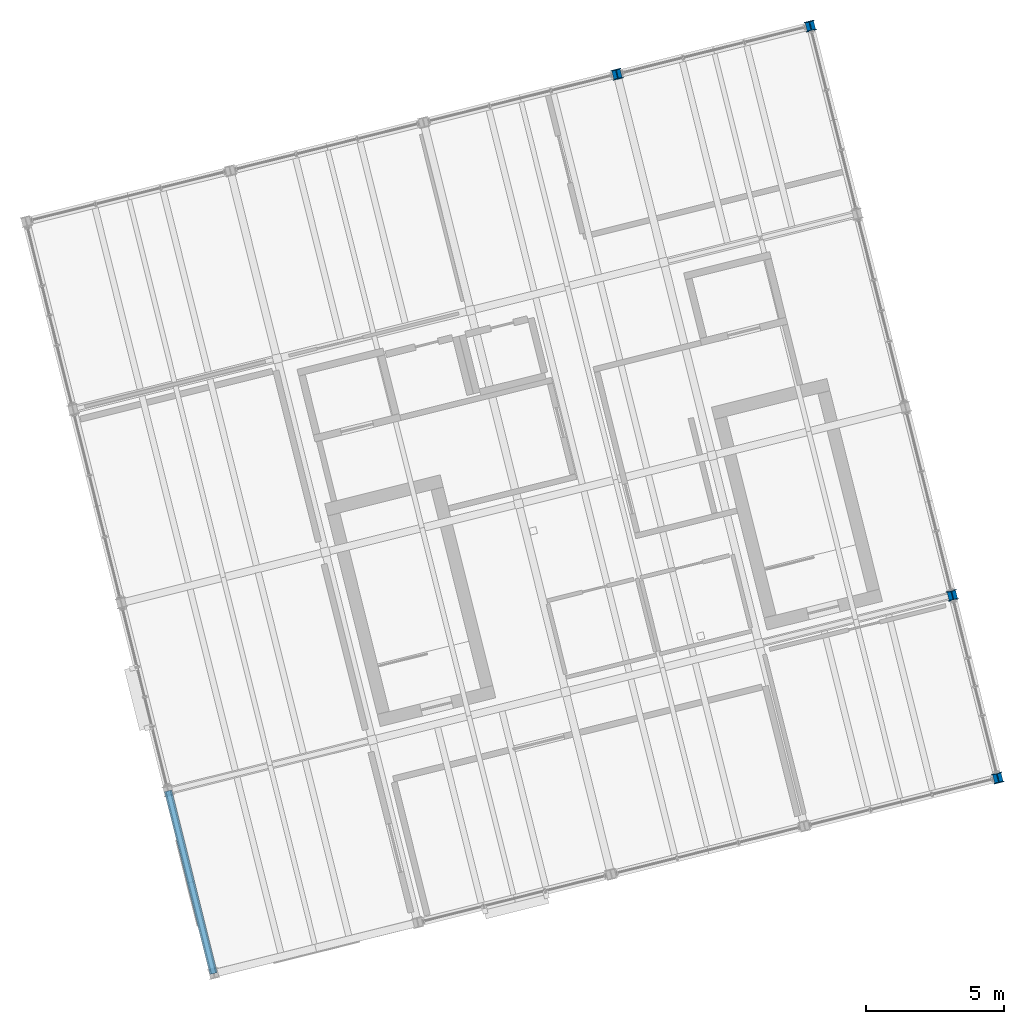
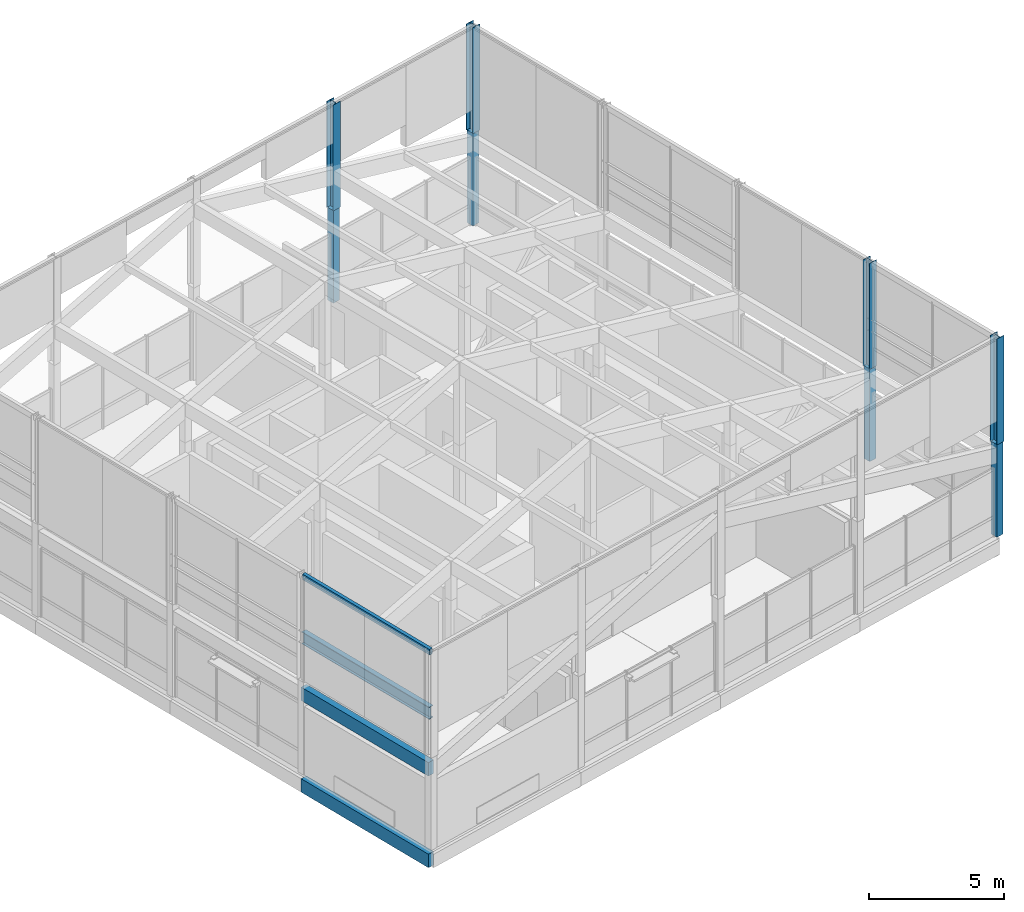
# One storey, part 2 of 31: 8 columns, 4 beams.
"""IFC4 building model written with IfcOpenShell, lengths in metres."""

from ifc_helpers import new_model, si_unit, direction, frame, origin, origin_2d, place, context, subcontext, project, spatial, rectangle, hollow_rectangle, i_section, extrude, material, material_profile, profile_set, type_object, element, save


model = new_model("IFC4")

# Units and contexts
model_context = context("Model", 3, precision=1e-05, world=origin(), true_north=direction((0.0, 1.0)))
body_context = subcontext(model_context, "Body", "Model", "MODEL_VIEW")
ifc_project = project(units=[si_unit("LENGTHUNIT", "METRE"), si_unit("AREAUNIT", "SQUARE_METRE"), si_unit("VOLUMEUNIT", "CUBIC_METRE"), si_unit("PLANEANGLEUNIT", "RADIAN"), si_unit("MASSUNIT", "GRAM", prefix="KILO")], contexts=[model_context])

# Site, building, storey
site_placement = place(None, origin())
site = spatial("IfcSite", under=ifc_project, at=site_placement, CompositionType="ELEMENT")
building_placement = place(site_placement, origin())
building = spatial("IfcBuilding", under=site, at=building_placement, Name="Meriwether Solvik Hall", CompositionType="ELEMENT")
storey_placement = place(building_placement, frame((0.0, 0.0, 61.199951171875)))
storey = spatial("IfcBuildingStorey", under=building, at=storey_placement, Name="L15", CompositionType="ELEMENT", Elevation=61.199951171875)

# Columns
ifc_material_1 = material(Name="Glulam Douglas-Fir L2 GL28c", Category="wood")
ifc_material_profile_1 = material_profile(ifc_material_1, rectangle(XDim=0.31494140625, YDim=0.31494140625, at=origin_2d()), Name="GLC-315X315")
ifc_profile_set_1 = profile_set([ifc_material_profile_1], Name="Glulam Douglas-Fir L2 GL28c")
column_type_1 = type_object("IfcColumnType", Name="COL-GL-315X315", PredefinedType="COLUMN", material=ifc_profile_set_1)
for number, where, z_axis, x_axis, name in (
    (1, (83.172607421875, 73.690673828125, 0.0), (0.0, 0.0, 1.0), (0.970295726276, 0.2419218956, 0.0), "Tower Column T4/TE (L15)"),
    (2, (96.9326171875, 48.26416015625, 0.0), (0.0, 0.0, 1.0), (0.970295726276, 0.2419218956, 0.0), "Tower Column T5/TA (L15)"),
    (3, (95.28759765625, 54.862060546875, 0.0), (0.0, 0.0, 1.0), (0.970295726276, 0.2419218956, 0.0), "Tower Column T5/TB (L15)"),
    (4, (90.158935546875, 75.432373046875, 0.0), (0.0, 0.0, 1.0), (0.970295726276, 0.2419218956, 0.0), "Tower Column T5/TE (L15)"),
):
    element("IfcColumn", number, at=place(storey_placement, frame(where, z_axis=z_axis, x_axis=x_axis)), inside=storey, type_object=column_type_1, Name=name, PredefinedType="COLUMN", context=body_context, shape_type="SweptSolid", body=[
        extrude(rectangle(XDim=0.31494140625, YDim=0.31494140625, at=origin_2d()), origin(), (0.0, 0.0, 1.0), 4.199951171875),
    ])
ifc_material_2 = material(Name="Steel A992 Grade 50", Category="steel")
ifc_material_profile_2 = material_profile(ifc_material_2, i_section(OverallWidth=0.368896484375, OverallDepth=0.35595703125, WebThickness=0.01123046875, FlangeThickness=0.01806640625, at=origin_2d()), Name="W14X90")
ifc_profile_set_2 = profile_set([ifc_material_profile_2], Name="Steel A992 Grade 50")
column_type_2 = type_object("IfcColumnType", Name="COL-STL-W14X90", PredefinedType="COLUMN", material=ifc_profile_set_2)
for number, where, z_axis, x_axis, name in (
    (5, (96.9326171875, 48.26416015625, 4.199951171875), (0.0, 0.0, 1.0), (0.970295726276, 0.2419218956, 0.0), "Crown Screen Post T5/TA"),
    (6, (95.28759765625, 54.862060546875, 4.199951171875), (0.0, 0.0, 1.0), (0.970295726276, 0.2419218956, 0.0), "Crown Screen Post T5/TB"),
    (7, (90.158935546875, 75.432373046875, 4.199951171875), (0.0, 0.0, 1.0), (0.970295726276, 0.2419218956, 0.0), "Crown Screen Post T5/TE"),
    (8, (83.172607421875, 73.690673828125, 4.199951171875), (0.0, 0.0, 1.0), (0.970295726276, 0.2419218956, 0.0), "Crown Screen Post T4/TE"),
):
    element("IfcColumn", number, at=place(storey_placement, frame(where, z_axis=z_axis, x_axis=x_axis)), inside=storey, type_object=column_type_2, Name=name, PredefinedType="COLUMN", context=body_context, shape_type="SweptSolid", body=[
        extrude(i_section(OverallWidth=0.368896484375, OverallDepth=0.35595703125, WebThickness=0.01123046875, FlangeThickness=0.01806640625, at=origin_2d()), origin(), (0.0, 0.0, 1.0), 4.800048828125),
    ])

# Beams
ifc_material_3 = material(Name="Glulam Douglas-Fir 24F-V8 GL28h", Category="wood")
ifc_material_profile_3 = material_profile(ifc_material_3, rectangle(XDim=0.27294921875, YDim=0.610107421875, at=origin_2d()), Name="GLB-273X610")
ifc_profile_set_3 = profile_set([ifc_material_profile_3], Name="Glulam Douglas-Fir 24F-V8 GL28h")
beam_type_1 = type_object("IfcBeamType", Name="BM-GL-273X610", PredefinedType="SPANDREL", material=ifc_profile_set_3)
for number, where, z_axis, x_axis, name in (
    (9, (68.60009765625, 41.199951171875, -0.550048828125), (-0.241944251278, 0.970290152106, 0.0), (-0.970290152106, -0.241944251278, 0.0), "Tower Girder T1:TA-TB (L15)"),
    (10, (68.60009765625, 41.199951171875, 3.59912109375), (-0.241944251278, 0.970290152106, 0.0), (-0.970290152106, -0.241944251278, 0.0), "Roof Tie Beam T1:TA-TB"),
):
    element("IfcBeam", number, at=place(storey_placement, frame(where, z_axis=z_axis, x_axis=x_axis)), inside=storey, type_object=beam_type_1, Name=name, PredefinedType="SPANDREL", context=body_context, shape_type="SweptSolid", body=[
        extrude(rectangle(XDim=0.27294921875, YDim=0.610107421875, at=origin_2d()), origin(), (0.0, 0.0, 1.0), 6.80029296875),
    ])
ifc_material_4 = material(Name="Steel A500 Grade C", Category="steel")
ifc_material_profile_4 = material_profile(ifc_material_4, hollow_rectangle(XDim=0.152099609375, YDim=0.25390625, WallThickness=0.009521484375, at=origin_2d()), Name="HSS254X152X9.5")
ifc_profile_set_4 = profile_set([ifc_material_profile_4], Name="Steel A500 Grade C")
beam_type_2 = type_object("IfcBeamType", Name="BM-STL-HSS254", PredefinedType="SPANDREL", material=ifc_profile_set_4)
beam_1_placement = place(storey_placement, frame((66.954833984375, 47.798095703125, 8.873046875), z_axis=(0.241944251278, -0.970290152106, 0.0), x_axis=(0.970290152106, 0.241944251278, 0.0)))
element("IfcBeam", 11, at=beam_1_placement, inside=storey, type_object=beam_type_2, Name="Crown Cap Ring Beam T1TB-T1TA", PredefinedType="SPANDREL", context=body_context, shape_type="SweptSolid", body=[
    extrude(hollow_rectangle(XDim=0.152099609375, YDim=0.25390625, WallThickness=0.009521484375, at=origin_2d()), origin(), (0.0, 0.0, 1.0), 6.80029296875),
])
ifc_material_5 = material(Name="Steel A992 Grade 50", Category="steel")
ifc_material_profile_5 = material_profile(ifc_material_5, i_section(OverallWidth=0.214111328125, OverallDepth=0.549072265625, WebThickness=0.0146484375, FlangeThickness=0.023681640625, at=origin_2d()), Name="W21X93")
ifc_profile_set_5 = profile_set([ifc_material_profile_5], Name="Steel A992 Grade 50")
beam_type_3 = type_object("IfcBeamType", Name="BM-STL-W21X93", PredefinedType="SPANDREL", material=ifc_profile_set_5)
beam_2_placement = place(storey_placement, frame((66.954833984375, 47.798095703125, 6.12548828125), z_axis=(0.241944251278, -0.970290152106, 0.0), x_axis=(0.970290152106, 0.241944251278, 0.0)))
element("IfcBeam", 12, at=beam_2_placement, inside=storey, type_object=beam_type_3, Name="Crown Wind Girt Beam T1TB-T1TA", PredefinedType="SPANDREL", context=body_context, shape_type="SweptSolid", body=[
    extrude(i_section(OverallWidth=0.214111328125, OverallDepth=0.549072265625, WebThickness=0.0146484375, FlangeThickness=0.023681640625, at=origin_2d()), origin(), (0.0, 0.0, 1.0), 6.80029296875),
])

save(model, "model.ifc")
